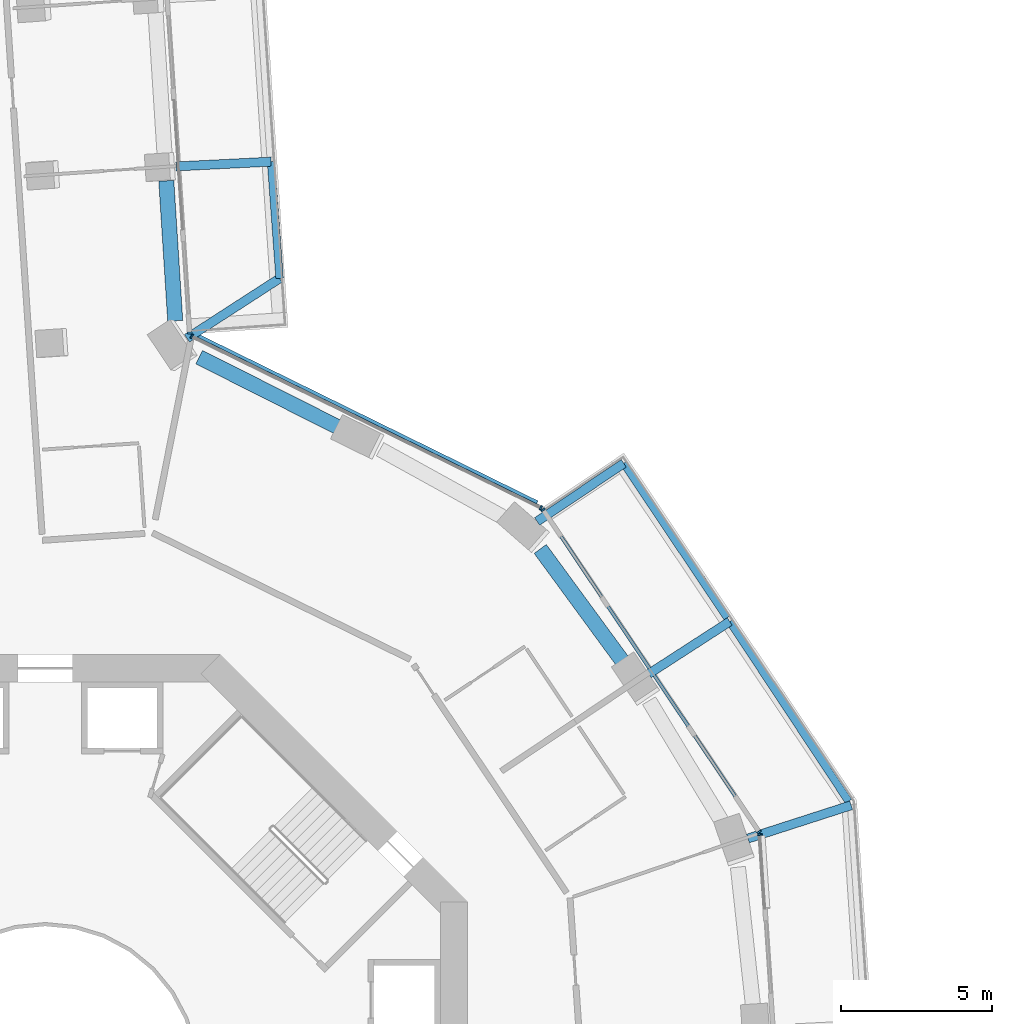
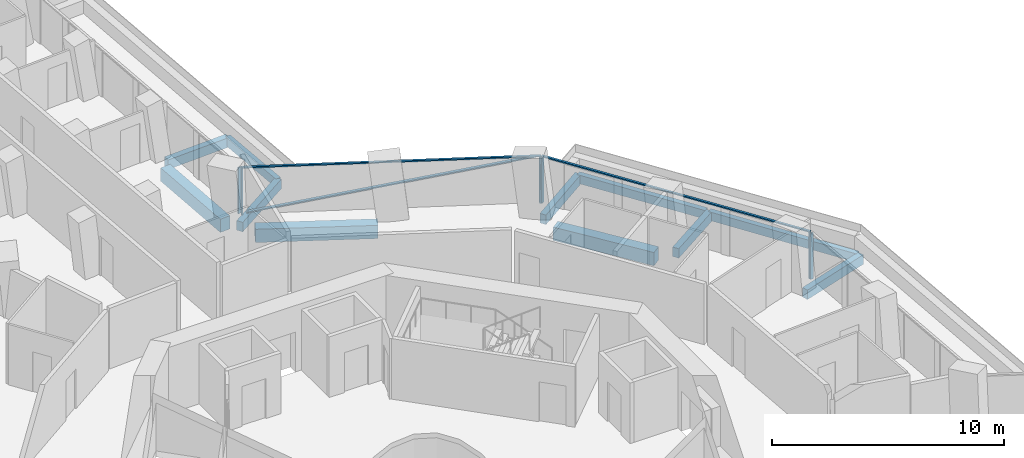
# One storey, part 9 of 25: 11 beams, 9 members, 4 elements without a shape of their own.
"""IFC4 building model written with IfcOpenShell, lengths in metres."""

import ifcopenshell
import ifcopenshell.guid

model = None  # the IFC model being written
_history = None  # IfcOwnerHistory: only IFC2X3 demands one
_inside = {}  # id of a spatial element -> (the spatial element, [elements in it])
_under = {}  # id of a project, library or spatial element -> (it, [spatial elements below it])
_declared = {}  # id of a project -> (the project, [libraries it declares])
_typed = {}  # id of a type object -> (the type object, [elements of that type])
_made_of = {}  # id of a material, layer set ... -> (it, [elements and type objects made of it])


def new_model(schema):
    """Start an empty IFC model of exactly this schema.

    Asked for "IFC4X3", IfcOpenShell would pick the latest addendum, in which some entities
    have other attributes; the version numbers below select the first issue.
    IFC2X3 requires an IfcOwnerHistory on every rooted entity: one is made here for all.
    """
    global model, _history
    if schema == "IFC4X3":
        model = ifcopenshell.file(schema_version=(4, 3, 0, 0))
    else:
        model = ifcopenshell.file(schema=schema)
    _inside.clear()
    _under.clear()
    _declared.clear()
    _typed.clear()
    _made_of.clear()
    _history = None
    if model.schema == "IFC2X3":
        org = make("IfcOrganization", Name="unknown")
        user = make(
            "IfcPersonAndOrganization",
            ThePerson=make("IfcPerson", FamilyName="unknown"),
            TheOrganization=org,
        )
        app = make(
            "IfcApplication",
            ApplicationDeveloper=org,
            Version="unknown",
            ApplicationFullName="unknown",
            ApplicationIdentifier="unknown",
        )
        _history = make(
            "IfcOwnerHistory",
            OwningUser=user,
            OwningApplication=app,
            ChangeAction="ADDED",
            CreationDate=0,
        )
    return model


def make(cls, **values):
    """One entity of the class cls with the attributes given. An attribute that is None is left unset."""
    return model.create_entity(
        cls, **{name: value for name, value in values.items() if value is not None}
    )


def rooted(cls, **values):
    """An entity with a GlobalId (a new one), such as an element, a storey or a relation."""
    return make(cls, GlobalId=ifcopenshell.guid.new(), OwnerHistory=_history, **values)


def si_unit(unit_type, name, prefix=None):
    """IfcSIUnit, for example si_unit("LENGTHUNIT", "METRE", prefix="MILLI")."""
    return make("IfcSIUnit", UnitType=unit_type, Prefix=prefix, Name=name)


def assignment(units):
    """IfcUnitAssignment: the units of a project."""
    return None if units is None else make("IfcUnitAssignment", Units=units)


def point(xyz):
    """IfcCartesianPoint."""
    return None if xyz is None else make("IfcCartesianPoint", Coordinates=xyz)


def direction(xyz):
    """IfcDirection."""
    return None if xyz is None else make("IfcDirection", DirectionRatios=xyz)


def frame(location, z_axis=None, x_axis=None):
    """IfcAxis2Placement3D, a coordinate frame: its origin and axes. An axis left out is left unset."""
    return make(
        "IfcAxis2Placement3D",
        Location=point(location),
        Axis=direction(z_axis),
        RefDirection=direction(x_axis),
    )


def frame_2d(location, x_axis=None):
    """IfcAxis2Placement2D, a coordinate frame in the plane: its origin and x axis."""
    return make(
        "IfcAxis2Placement2D", Location=point(location), RefDirection=direction(x_axis)
    )


def origin():
    """The frame at (0, 0, 0) with its axes left unset."""
    return frame((0.0, 0.0, 0.0))


def origin_2d():
    """The frame at (0, 0) in the plane with its x axis left unset."""
    return frame_2d((0.0, 0.0))


def place(relative_to, where):
    """IfcLocalPlacement: puts the frame where relative to a parent placement (None: the world)."""
    return make(
        "IfcLocalPlacement", PlacementRelTo=relative_to, RelativePlacement=where
    )


def context(
    kind, dimensions, precision=None, world=None, true_north=None, identifier=None
):
    """IfcGeometricRepresentationContext, for example the 3D "Model" context."""
    return make(
        "IfcGeometricRepresentationContext",
        ContextIdentifier=identifier,
        ContextType=kind,
        CoordinateSpaceDimension=dimensions,
        Precision=precision,
        WorldCoordinateSystem=world,
        TrueNorth=true_north,
    )


def subcontext(parent, identifier, kind, view, scale=None):
    """IfcGeometricRepresentationSubContext, for example "Body" below "Model"."""
    return make(
        "IfcGeometricRepresentationSubContext",
        ContextIdentifier=identifier,
        ContextType=kind,
        ParentContext=parent,
        TargetScale=scale,
        TargetView=view,
    )


def project(units=None, contexts=None):
    """IfcProject with its units and contexts."""
    return rooted(
        "IfcProject",
        Name="project",
        RepresentationContexts=contexts,
        UnitsInContext=assignment(units),
    )


def spatial(cls, under=None, at=None, **own):
    """A site, building, storey or space (cls), placed at a placement, below another one or the project."""
    s = rooted(cls, ObjectPlacement=at, **own)
    if under is not None:
        _under.setdefault(under.id(), (under, []))[1].append(s)
    return s


def profile(cls, at=None, kind="AREA", **sizes):
    """A parametric profile (cls). Its sizes go by their IFC names, for example OverallWidth=200.0."""
    return make(cls, ProfileType=kind, Position=at, **sizes)


def rectangle(**sizes):
    """IfcRectangleProfileDef."""
    return profile("IfcRectangleProfileDef", **sizes)


def extrude(swept, where, along, depth):
    """IfcExtrudedAreaSolid: the profile swept, set in the frame where, extruded along a direction by depth."""
    return make(
        "IfcExtrudedAreaSolid",
        SweptArea=swept,
        Position=where,
        ExtrudedDirection=direction(along),
        Depth=depth,
    )


def shape(context_of_items, identifier, shape_type, items):
    """IfcShapeRepresentation: the items that make up one representation, for example the "Body"."""
    return make(
        "IfcShapeRepresentation",
        ContextOfItems=context_of_items,
        RepresentationIdentifier=identifier,
        RepresentationType=shape_type,
        Items=items,
    )


def material(Name=None, Category=None):
    """IfcMaterial."""
    return make("IfcMaterial", Name=Name, Category=Category)


def layer(
    of_material, thickness, ventilated=None, Name=None, Category=None, Priority=None
):
    """IfcMaterialLayer: one layer of a wall or slab, of a material (None: an air gap)."""
    return make(
        "IfcMaterialLayer",
        Material=of_material,
        LayerThickness=thickness,
        IsVentilated=ventilated,
        Name=Name,
        Category=Category,
        Priority=Priority,
    )


def layer_set(layers, Name=None):
    """IfcMaterialLayerSet."""
    return make("IfcMaterialLayerSet", MaterialLayers=layers, LayerSetName=Name)


def material_profile(
    of_material, cross_section, Name=None, Category=None, Priority=None
):
    """IfcMaterialProfile: a cross section and its material."""
    return make(
        "IfcMaterialProfile",
        Name=Name,
        Material=of_material,
        Profile=cross_section,
        Priority=Priority,
        Category=Category,
    )


def profile_set(profiles, Name=None, composite=None):
    """IfcMaterialProfileSet."""
    return make(
        "IfcMaterialProfileSet",
        Name=Name,
        MaterialProfiles=profiles,
        CompositeProfile=composite,
    )


def made_of(thing, what):
    """Note that an element or type object is made of a material, layer set ...; save() writes the relation."""
    if what is not None:
        _made_of.setdefault(what.id(), (what, []))[1].append(thing)
    return thing


def type_object(cls, material=None, **own):
    """A type object (cls), such as IfcWallType, which elements share."""
    return made_of(rooted(cls, **own), material)


def element(
    cls,
    number,
    at=None,
    inside=None,
    cuts=None,
    type_object=None,
    material=None,
    context=None,
    identifier="Body",
    shape_type=None,
    held_by="IfcProductDefinitionShape",
    body=None,
    shapes=None,
    **own,
):
    """One element of the class cls, such as IfcWall. Its Tag is "e" and its number.

    at: its placement. inside: the storey or other place that contains it. cuts: it is an
    opening in that element (IfcRelVoidsElement). A single representation is given by context,
    identifier, shape_type and body (its items); several are given by shapes. held_by: the class
    of the entity that holds the representations. save() writes the other relations.
    """
    e = rooted(cls, Tag="e%d" % number, ObjectPlacement=at, **own)
    if body is not None:
        shapes = [shape(context, identifier, shape_type, body)]
    if shapes is not None:
        e.Representation = make(held_by, Representations=shapes)
    if inside is not None:
        _inside.setdefault(inside.id(), (inside, []))[1].append(e)
    if cuts is not None:
        rooted(
            "IfcRelVoidsElement", RelatingBuildingElement=cuts, RelatedOpeningElement=e
        )
    if type_object is not None:
        _typed.setdefault(type_object.id(), (type_object, []))[1].append(e)
    return made_of(e, material)


def aggregate(whole, parts):
    """IfcRelAggregates: a whole, such as a stair, and the parts it consists of."""
    return rooted("IfcRelAggregates", RelatingObject=whole, RelatedObjects=parts)


def save(model, path):
    """Write the relations noted so far, then the file.

    IfcRelAggregates (storeys below a building ...), IfcRelContainedInSpatialStructure (elements
    in a storey), IfcRelDefinesByType, IfcRelAssociatesMaterial and IfcRelDeclares: one each for
    every whole, place, type object, material and project.
    """
    for whole, parts in _under.values():
        aggregate(whole, parts)
    for where, things in _inside.values():
        rooted(
            "IfcRelContainedInSpatialStructure",
            RelatedElements=things,
            RelatingStructure=where,
        )
    for kind, things in _typed.values():
        rooted("IfcRelDefinesByType", RelatedObjects=things, RelatingType=kind)
    for what, things in _made_of.values():
        rooted("IfcRelAssociatesMaterial", RelatedObjects=things, RelatingMaterial=what)
    for by, libraries in _declared.values():
        rooted("IfcRelDeclares", RelatingContext=by, RelatedDefinitions=libraries)
    model.write(path)


model = new_model("IFC4")

# Units and contexts
model_context = context("Model", 3, precision=1e-05, world=origin(), true_north=direction((0.0, 1.0)))
body_context = subcontext(model_context, "Body", "Model", "MODEL_VIEW")
ifc_project = project(units=[si_unit("LENGTHUNIT", "METRE"), si_unit("AREAUNIT", "SQUARE_METRE"), si_unit("VOLUMEUNIT", "CUBIC_METRE"), si_unit("PLANEANGLEUNIT", "RADIAN"), si_unit("MASSUNIT", "GRAM", prefix="KILO")], contexts=[model_context])

# Site, building, storey
site_placement = place(None, origin())
site = spatial("IfcSite", under=ifc_project, at=site_placement, CompositionType="ELEMENT")
building_placement = place(site_placement, origin())
building = spatial("IfcBuilding", under=site, at=building_placement, Name="Verdalira Terraces Hotel", CompositionType="ELEMENT")
storey_placement = place(building_placement, frame((0.0, 0.0, 49.5)))
storey = spatial("IfcBuildingStorey", under=building, at=storey_placement, Name="L10", CompositionType="ELEMENT", Elevation=49.5)

# Beams
ifc_material_1 = material(Name="Concrete C40", Category="concrete")
ifc_material_profile_1 = material_profile(ifc_material_1, rectangle(XDim=0.300049, YDim=0.5, at=origin_2d()), Name="RC 300X500")
ifc_profile_set_1 = profile_set([ifc_material_profile_1], Name="Concrete C40")
beam_type_1 = type_object("IfcBeamType", Name="Balcony cantilever beam RC 300X500 C40", PredefinedType="BEAM", material=ifc_profile_set_1)
beam_1_placement = place(storey_placement, frame((4.699219, 24.490967, -0.560059), z_axis=(0.839826271, 0.542855261, 0.0), x_axis=(-0.542855261, 0.839826271, 0.0)))
element("IfcBeam", 1, at=beam_1_placement, inside=storey, type_object=beam_type_1, Name="Balcony cantilever beam R00-1", PredefinedType="BEAM", context=body_context, shape_type="SweptSolid", body=[
    extrude(rectangle(XDim=0.300049, YDim=0.5, at=origin_2d()), origin(), (0.0, 0.0, 1.0), 3.656006),
])
beam_2_placement = place(storey_placement, frame((4.332275, 30.188721, -0.560059), z_axis=(0.998739188, 0.050199948, 0.0), x_axis=(-0.050199948, 0.998739188, 0.0)))
element("IfcBeam", 2, at=beam_2_placement, inside=storey, type_object=beam_type_1, Name="Balcony cantilever beam R00-2", PredefinedType="BEAM", context=body_context, shape_type="SweptSolid", body=[
    extrude(rectangle(XDim=0.300049, YDim=0.5, at=origin_2d()), origin(), (0.0, 0.0, 1.0), 3.15625),
])
beam_3_placement = place(storey_placement, frame((23.296875, 7.90332, -0.560059), z_axis=(0.951712455, 0.306990884, 0.0), x_axis=(-0.306990884, 0.951712455, 0.0)))
element("IfcBeam", 3, at=beam_3_placement, inside=storey, type_object=beam_type_1, Name="Balcony cantilever beam R39-3", PredefinedType="BEAM", context=body_context, shape_type="SweptSolid", body=[
    extrude(rectangle(XDim=0.300049, YDim=0.5, at=origin_2d()), origin(), (0.0, 0.0, 1.0), 3.5979),
])
beam_4_placement = place(storey_placement, frame((20.006104, 13.361816, -0.560059), z_axis=(0.839805398, 0.542887551, 0.0), x_axis=(-0.542887551, 0.839805398, 0.0)))
element("IfcBeam", 4, at=beam_4_placement, inside=storey, type_object=beam_type_1, Name="Balcony cantilever beam R39-4", PredefinedType="BEAM", context=body_context, shape_type="SweptSolid", body=[
    extrude(rectangle(XDim=0.300049, YDim=0.5, at=origin_2d()), origin(), (0.0, 0.0, 1.0), 3.200928),
])
beam_5_placement = place(storey_placement, frame((16.307617, 18.41748, -0.560059), z_axis=(0.830624305, 0.556833246, 0.0), x_axis=(-0.556833246, 0.830624305, 0.0)))
element("IfcBeam", 5, at=beam_5_placement, inside=storey, type_object=beam_type_1, Name="Balcony cantilever beam R39-5", PredefinedType="BEAM", context=body_context, shape_type="SweptSolid", body=[
    extrude(rectangle(XDim=0.300049, YDim=0.5, at=origin_2d()), origin(), (0.0, 0.0, 1.0), 3.457031),
])
ifc_material_2 = material(Name="Concrete C40", Category="concrete")
ifc_material_profile_2 = material_profile(ifc_material_2, rectangle(XDim=0.25, YDim=0.449951, at=origin_2d()), Name="RC 250X450")
ifc_profile_set_2 = profile_set([ifc_material_profile_2], Name="Concrete C40")
beam_type_2 = type_object("IfcBeamType", Name="Balcony edge beam RC 250X450 C40", PredefinedType="BEAM", material=ifc_profile_set_2)
beam_6_placement = place(storey_placement, frame((7.769531, 26.475586, -0.534912), z_axis=(-0.073392155, 0.997303159, 0.0), x_axis=(-0.997303159, -0.073392155, 0.0)))
element("IfcBeam", 6, at=beam_6_placement, inside=storey, type_object=beam_type_2, Name="Balcony edge beam R00-1", PredefinedType="BEAM", context=body_context, shape_type="SweptSolid", body=[
    extrude(rectangle(XDim=0.25, YDim=0.449951, at=origin_2d()), origin(), (0.0, 0.0, 1.0), 3.88208),
])
beam_7_placement = place(storey_placement, frame((26.635254, 9.137695, -0.534912), z_axis=(-0.551432208, 0.834219707, 0.0), x_axis=(-0.834219707, -0.551432208, 0.0)))
element("IfcBeam", 7, at=beam_7_placement, inside=storey, type_object=beam_type_2, Name="Balcony edge beam R39-3", PredefinedType="BEAM", context=body_context, shape_type="SweptSolid", body=[
    extrude(rectangle(XDim=0.25, YDim=0.449951, at=origin_2d()), origin(), (0.0, 0.0, 1.0), 7.146729),
])
beam_8_placement = place(storey_placement, frame((22.610596, 15.224121, -0.534912), z_axis=(-0.556846923, 0.830615136, 0.0), x_axis=(-0.830615136, -0.556846923, 0.0)))
element("IfcBeam", 8, at=beam_8_placement, inside=storey, type_object=beam_type_2, Name="Balcony edge beam R39-4", PredefinedType="BEAM", context=body_context, shape_type="SweptSolid", body=[
    extrude(rectangle(XDim=0.25, YDim=0.449951, at=origin_2d()), origin(), (0.0, 0.0, 1.0), 6.162109),
])

# Curtain wall, member
ifc_material_3 = material(Name="Clear glass", Category="glass")
ifc_layer_1 = layer(ifc_material_3, 0.14990234375)
ifc_layer_set_1 = layer_set([ifc_layer_1], Name="CW1 curtain wall")
curtain_wall_type_1 = type_object("IfcCurtainWallType", Name="CW1 curtain wall", PredefinedType="NOTDEFINED", material=ifc_layer_set_1)
curtain_wall_1_placement = place(storey_placement, origin())
curtain_wall_1 = element("IfcCurtainWall", 9, at=curtain_wall_1_placement, inside=storey, type_object=curtain_wall_type_1, Name="CW1 curtain wall L10 edge 39", PredefinedType="NOTDEFINED")
ifc_material_4 = material(Name="Terracotta frame", Category="masonry")
ifc_material_profile_3 = material_profile(ifc_material_4, rectangle(XDim=0.060059, YDim=0.149902, at=origin_2d()), Name="MU 60x150")
ifc_profile_set_3 = profile_set([ifc_material_profile_3], Name="Terracotta frame")
member_type_1 = type_object("IfcMemberType", Name="CW1 mullion 60x150", PredefinedType="MULLION", material=ifc_profile_set_3)
member_1_placement = place(storey_placement, frame((23.698486, 8.034912, 0.0), z_axis=(0.0, 0.0, 1.0), x_axis=(-0.066970481, 0.997754957, 0.0)))
member_1 = element("IfcMember", 10, at=member_1_placement, type_object=member_type_1, Name="CW1 mullion", PredefinedType="MULLION", context=body_context, shape_type="SweptSolid", body=[
    extrude(rectangle(XDim=0.060059, YDim=0.149902, at=origin_2d()), origin(), (0.0, 0.0, 1.0), 2.425049),
])
aggregate(curtain_wall_1, [member_1])

# Curtain wall, members
curtain_wall_2_placement = place(storey_placement, origin())
curtain_wall_2 = element("IfcCurtainWall", 11, at=curtain_wall_2_placement, inside=storey, type_object=curtain_wall_type_1, Name="CW1 curtain wall L10 edge 40", PredefinedType="NOTDEFINED")
member_2_placement = place(storey_placement, frame((23.667236, 8.126465, 0.0), z_axis=(0.0, 0.0, 1.0), x_axis=(-0.556875616, 0.830595899, 0.0)))
member_2 = element("IfcMember", 12, at=member_2_placement, type_object=member_type_1, Name="CW1 mullion", PredefinedType="MULLION", context=body_context, shape_type="SweptSolid", body=[
    extrude(rectangle(XDim=0.060059, YDim=0.149902, at=origin_2d()), origin(), (0.0, 0.0, 1.0), 2.425049),
])
member_3_placement = place(storey_placement, frame((16.505859, 18.807617, 0.0), z_axis=(0.0, 0.0, 1.0), x_axis=(-0.556875616, 0.830595899, 0.0)))
member_3 = element("IfcMember", 13, at=member_3_placement, type_object=member_type_1, Name="CW1 mullion", PredefinedType="MULLION", context=body_context, shape_type="SweptSolid", body=[
    extrude(rectangle(XDim=0.060059, YDim=0.149902, at=origin_2d()), origin(), (0.0, 0.0, 1.0), 2.425049),
])

curtain_wall_3_placement = place(storey_placement, origin())
curtain_wall_3 = element("IfcCurtainWall", 14, at=curtain_wall_3_placement, inside=storey, type_object=curtain_wall_type_1, Name="CW1 curtain wall L10 edge 41", PredefinedType="NOTDEFINED")
member_4_placement = place(storey_placement, frame((16.433105, 18.871338, 0.0), z_axis=(0.0, 0.0, 1.0), x_axis=(-0.89756638, 0.440879341, 0.0)))
member_4 = element("IfcMember", 15, at=member_4_placement, type_object=member_type_1, Name="CW1 mullion", PredefinedType="MULLION", context=body_context, shape_type="SweptSolid", body=[
    extrude(rectangle(XDim=0.060059, YDim=0.149902, at=origin_2d()), origin(), (0.0, 0.0, 1.0), 2.425049),
])
member_5_placement = place(storey_placement, frame((4.854736, 24.558594, 0.0), z_axis=(0.0, 0.0, 1.0), x_axis=(-0.89756638, 0.440879341, 0.0)))
member_5 = element("IfcMember", 16, at=member_5_placement, type_object=member_type_1, Name="CW1 mullion", PredefinedType="MULLION", context=body_context, shape_type="SweptSolid", body=[
    extrude(rectangle(XDim=0.060059, YDim=0.149902, at=origin_2d()), origin(), (0.0, 0.0, 1.0), 2.425049),
])

# Member
ifc_material_5 = material(Name="Terracotta frame", Category="masonry")
ifc_material_profile_4 = material_profile(ifc_material_5, rectangle(XDim=0.110107, YDim=0.064941, at=origin_2d()), Name="TR 65x110")
ifc_profile_set_4 = profile_set([ifc_material_profile_4], Name="Terracotta frame")
member_type_2 = type_object("IfcMemberType", Name="CW1 transom 65x110", PredefinedType="USERDEFINED", material=ifc_profile_set_4)
member_6_placement = place(storey_placement, frame((23.683838, 8.101562, 2.45752), z_axis=(-0.556874356, 0.830596744, 0.0), x_axis=(-0.830596744, -0.556874356, 0.0)))
member_6 = element("IfcMember", 17, at=member_6_placement, type_object=member_type_2, Name="CW1 transom", ObjectType="TRANSOM", PredefinedType="USERDEFINED", context=body_context, shape_type="SweptSolid", body=[
    extrude(rectangle(XDim=0.110107, YDim=0.064941, at=origin_2d()), origin(), (0.0, 0.0, 1.0), 12.919678),
])

aggregate(curtain_wall_2, [member_2, member_3, member_6])

member_7_placement = place(storey_placement, frame((16.459961, 18.858154, 2.45752), z_axis=(-0.897569628, 0.440872728, 0.0), x_axis=(-0.440872728, -0.897569628, 0.0)))
member_7 = element("IfcMember", 18, at=member_7_placement, type_object=member_type_2, Name="CW1 transom", ObjectType="TRANSOM", PredefinedType="USERDEFINED", context=body_context, shape_type="SweptSolid", body=[
    extrude(rectangle(XDim=0.110107, YDim=0.064941, at=origin_2d()), origin(), (0.0, 0.0, 1.0), 12.959717),
])

# Curtain wall, member
ifc_material_6 = material(Name="Clear glass", Category="glass")
ifc_layer_2 = layer(ifc_material_6, 0.14990234375)
ifc_layer_set_2 = layer_set([ifc_layer_2], Name="CW2 curtain wall")
curtain_wall_type_2 = type_object("IfcCurtainWallType", Name="CW2 curtain wall", PredefinedType="NOTDEFINED", material=ifc_layer_set_2)
curtain_wall_4_placement = place(storey_placement, origin())
curtain_wall_4 = element("IfcCurtainWall", 19, at=curtain_wall_4_placement, inside=storey, type_object=curtain_wall_type_2, Name="CW2 curtain wall L10 edge 0", PredefinedType="NOTDEFINED")
ifc_material_7 = material(Name="Terracotta frame", Category="masonry")
ifc_material_profile_5 = material_profile(ifc_material_7, rectangle(XDim=0.070068, YDim=0.149902, at=origin_2d()), Name="MU 70x150")
ifc_profile_set_5 = profile_set([ifc_material_profile_5], Name="Terracotta frame")
member_type_3 = type_object("IfcMemberType", Name="CW2 mullion 70x150", PredefinedType="MULLION", material=ifc_profile_set_5)
member_8_placement = place(storey_placement, frame((4.783691, 24.669189, 0.0), z_axis=(0.0, 0.0, 1.0), x_axis=(-0.066970481, 0.997754957, 0.0)))
member_8 = element("IfcMember", 20, at=member_8_placement, type_object=member_type_3, Name="CW2 mullion", PredefinedType="MULLION", context=body_context, shape_type="SweptSolid", body=[
    extrude(rectangle(XDim=0.070068, YDim=0.149902, at=origin_2d()), origin(), (0.0, 0.0, 1.0), 2.425049),
])
aggregate(curtain_wall_4, [member_8])

# Member
ifc_material_8 = material(Name="Terracotta frame", Category="masonry")
ifc_material_profile_6 = material_profile(ifc_material_8, rectangle(XDim=0.149902, YDim=0.060059, at=origin_2d()), Name="GB 60x150")
ifc_profile_set_6 = profile_set([ifc_material_profile_6], Name="Terracotta frame")
member_type_4 = type_object("IfcMemberType", Name="Diagonal glazing bar 60x150", PredefinedType="USERDEFINED", material=ifc_profile_set_6)
member_9_placement = place(storey_placement, frame((16.303467, 19.03418, 2.395264), z_axis=(-0.881968193, 0.433226025, -0.185599883), x_axis=(-0.440886246, -0.897562988, 0.0)))
member_9 = element("IfcMember", 21, at=member_9_placement, type_object=member_type_4, Name="Diagonal glazing bar", ObjectType="GLAZING BAR", PredefinedType="USERDEFINED", context=body_context, shape_type="SweptSolid", body=[
    extrude(rectangle(XDim=0.149902, YDim=0.060059, at=origin_2d()), origin(), (0.0, 0.0, 1.0), 12.745117),
])

aggregate(curtain_wall_3, [member_4, member_5, member_7, member_9])

# Beams
ifc_material_9 = material(Name="Concrete C70", Category="concrete")
ifc_material_profile_7 = material_profile(ifc_material_9, rectangle(XDim=0.5, YDim=0.699951, at=origin_2d()), Name="RC 500X700")
ifc_profile_set_7 = profile_set([ifc_material_profile_7], Name="Concrete C70")
beam_type_3 = type_object("IfcBeamType", Name="Spandrel beam RC 500X700 C70", PredefinedType="SPANDREL", material=ifc_profile_set_7)
beam_9_placement = place(storey_placement, frame((4.308838, 25.068115, -0.659912), z_axis=(-0.063785743, 0.997963616, 0.0), x_axis=(-0.997963616, -0.063785743, 0.0)))
element("IfcBeam", 22, at=beam_9_placement, inside=storey, type_object=beam_type_3, Name="Spandrel beam B01", PredefinedType="SPANDREL", context=body_context, shape_type="SweptSolid", body=[
    extrude(rectangle(XDim=0.5, YDim=0.699951, at=origin_2d()), origin(), (0.0, 0.0, 1.0), 4.654297),
])
beam_10_placement = place(storey_placement, frame((19.221436, 13.669434, -0.659912), z_axis=(-0.590909533, 0.806737828, 0.0), x_axis=(-0.806737828, -0.590909533, 0.0)))
element("IfcBeam", 23, at=beam_10_placement, inside=storey, type_object=beam_type_3, Name="Spandrel beam B33", PredefinedType="SPANDREL", context=body_context, shape_type="SweptSolid", body=[
    extrude(rectangle(XDim=0.5, YDim=0.699951, at=origin_2d()), origin(), (0.0, 0.0, 1.0), 4.755371),
])
beam_11_placement = place(storey_placement, frame((9.847412, 21.4729, -0.659912), z_axis=(-0.892896138, 0.450262686, 0.0), x_axis=(-0.450262686, -0.892896138, 0.0)))
element("IfcBeam", 24, at=beam_11_placement, inside=storey, type_object=beam_type_3, Name="Spandrel beam B35", PredefinedType="SPANDREL", context=body_context, shape_type="SweptSolid", body=[
    extrude(rectangle(XDim=0.5, YDim=0.699951, at=origin_2d()), origin(), (0.0, 0.0, 1.0), 5.312012),
])

save(model, "model.ifc")
